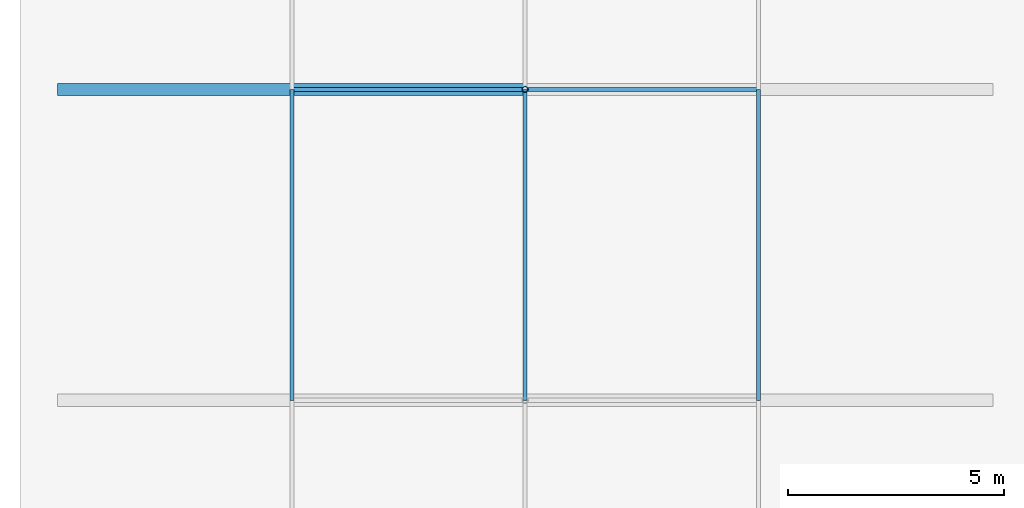
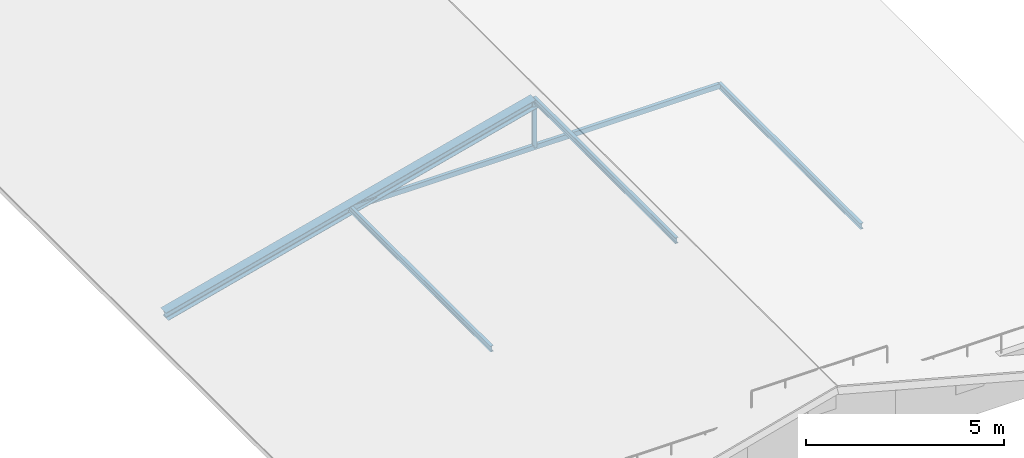
# One storey, part 3 of 8: 6 members.
"""IFC4 building model written with IfcOpenShell, lengths in metres."""

import ifcopenshell
import ifcopenshell.guid

model = None  # the IFC model being written
_history = None  # IfcOwnerHistory: only IFC2X3 demands one
_inside = {}  # id of a spatial element -> (the spatial element, [elements in it])
_under = {}  # id of a project, library or spatial element -> (it, [spatial elements below it])
_declared = {}  # id of a project -> (the project, [libraries it declares])
_typed = {}  # id of a type object -> (the type object, [elements of that type])
_made_of = {}  # id of a material, layer set ... -> (it, [elements and type objects made of it])


def new_model(schema):
    """Start an empty IFC model of exactly this schema.

    Asked for "IFC4X3", IfcOpenShell would pick the latest addendum, in which some entities
    have other attributes; the version numbers below select the first issue.
    IFC2X3 requires an IfcOwnerHistory on every rooted entity: one is made here for all.
    """
    global model, _history
    if schema == "IFC4X3":
        model = ifcopenshell.file(schema_version=(4, 3, 0, 0))
    else:
        model = ifcopenshell.file(schema=schema)
    _inside.clear()
    _under.clear()
    _declared.clear()
    _typed.clear()
    _made_of.clear()
    _history = None
    if model.schema == "IFC2X3":
        org = make("IfcOrganization", Name="unknown")
        user = make(
            "IfcPersonAndOrganization",
            ThePerson=make("IfcPerson", FamilyName="unknown"),
            TheOrganization=org,
        )
        app = make(
            "IfcApplication",
            ApplicationDeveloper=org,
            Version="unknown",
            ApplicationFullName="unknown",
            ApplicationIdentifier="unknown",
        )
        _history = make(
            "IfcOwnerHistory",
            OwningUser=user,
            OwningApplication=app,
            ChangeAction="ADDED",
            CreationDate=0,
        )
    return model


def make(cls, **values):
    """One entity of the class cls with the attributes given. An attribute that is None is left unset."""
    return model.create_entity(
        cls, **{name: value for name, value in values.items() if value is not None}
    )


def rooted(cls, **values):
    """An entity with a GlobalId (a new one), such as an element, a storey or a relation."""
    return make(cls, GlobalId=ifcopenshell.guid.new(), OwnerHistory=_history, **values)


def si_unit(unit_type, name, prefix=None):
    """IfcSIUnit, for example si_unit("LENGTHUNIT", "METRE", prefix="MILLI")."""
    return make("IfcSIUnit", UnitType=unit_type, Prefix=prefix, Name=name)


def assignment(units):
    """IfcUnitAssignment: the units of a project."""
    return None if units is None else make("IfcUnitAssignment", Units=units)


def point(xyz):
    """IfcCartesianPoint."""
    return None if xyz is None else make("IfcCartesianPoint", Coordinates=xyz)


def direction(xyz):
    """IfcDirection."""
    return None if xyz is None else make("IfcDirection", DirectionRatios=xyz)


def frame(location, z_axis=None, x_axis=None):
    """IfcAxis2Placement3D, a coordinate frame: its origin and axes. An axis left out is left unset."""
    return make(
        "IfcAxis2Placement3D",
        Location=point(location),
        Axis=direction(z_axis),
        RefDirection=direction(x_axis),
    )


def frame_2d(location, x_axis=None):
    """IfcAxis2Placement2D, a coordinate frame in the plane: its origin and x axis."""
    return make(
        "IfcAxis2Placement2D", Location=point(location), RefDirection=direction(x_axis)
    )


def origin():
    """The frame at (0, 0, 0) with its axes left unset."""
    return frame((0.0, 0.0, 0.0))


def origin_2d():
    """The frame at (0, 0) in the plane with its x axis left unset."""
    return frame_2d((0.0, 0.0))


def place(relative_to, where):
    """IfcLocalPlacement: puts the frame where relative to a parent placement (None: the world)."""
    return make(
        "IfcLocalPlacement", PlacementRelTo=relative_to, RelativePlacement=where
    )


def context(
    kind, dimensions, precision=None, world=None, true_north=None, identifier=None
):
    """IfcGeometricRepresentationContext, for example the 3D "Model" context."""
    return make(
        "IfcGeometricRepresentationContext",
        ContextIdentifier=identifier,
        ContextType=kind,
        CoordinateSpaceDimension=dimensions,
        Precision=precision,
        WorldCoordinateSystem=world,
        TrueNorth=true_north,
    )


def subcontext(parent, identifier, kind, view, scale=None):
    """IfcGeometricRepresentationSubContext, for example "Body" below "Model"."""
    return make(
        "IfcGeometricRepresentationSubContext",
        ContextIdentifier=identifier,
        ContextType=kind,
        ParentContext=parent,
        TargetScale=scale,
        TargetView=view,
    )


def project(units=None, contexts=None):
    """IfcProject with its units and contexts."""
    return rooted(
        "IfcProject",
        Name="project",
        RepresentationContexts=contexts,
        UnitsInContext=assignment(units),
    )


def spatial(cls, under=None, at=None, **own):
    """A site, building, storey or space (cls), placed at a placement, below another one or the project."""
    s = rooted(cls, ObjectPlacement=at, **own)
    if under is not None:
        _under.setdefault(under.id(), (under, []))[1].append(s)
    return s


def profile(cls, at=None, kind="AREA", **sizes):
    """A parametric profile (cls). Its sizes go by their IFC names, for example OverallWidth=200.0."""
    return make(cls, ProfileType=kind, Position=at, **sizes)


def hollow_rectangle(**sizes):
    """IfcRectangleHollowProfileDef."""
    return profile("IfcRectangleHollowProfileDef", **sizes)


def hollow_circle(**sizes):
    """IfcCircleHollowProfileDef."""
    return profile("IfcCircleHollowProfileDef", **sizes)


def i_section(**sizes):
    """IfcIShapeProfileDef."""
    return profile("IfcIShapeProfileDef", **sizes)


def extrude(swept, where, along, depth):
    """IfcExtrudedAreaSolid: the profile swept, set in the frame where, extruded along a direction by depth."""
    return make(
        "IfcExtrudedAreaSolid",
        SweptArea=swept,
        Position=where,
        ExtrudedDirection=direction(along),
        Depth=depth,
    )


def shape(context_of_items, identifier, shape_type, items):
    """IfcShapeRepresentation: the items that make up one representation, for example the "Body"."""
    return make(
        "IfcShapeRepresentation",
        ContextOfItems=context_of_items,
        RepresentationIdentifier=identifier,
        RepresentationType=shape_type,
        Items=items,
    )


def material(Name=None, Category=None):
    """IfcMaterial."""
    return make("IfcMaterial", Name=Name, Category=Category)


def material_profile(
    of_material, cross_section, Name=None, Category=None, Priority=None
):
    """IfcMaterialProfile: a cross section and its material."""
    return make(
        "IfcMaterialProfile",
        Name=Name,
        Material=of_material,
        Profile=cross_section,
        Priority=Priority,
        Category=Category,
    )


def profile_set(profiles, Name=None, composite=None):
    """IfcMaterialProfileSet."""
    return make(
        "IfcMaterialProfileSet",
        Name=Name,
        MaterialProfiles=profiles,
        CompositeProfile=composite,
    )


def made_of(thing, what):
    """Note that an element or type object is made of a material, layer set ...; save() writes the relation."""
    if what is not None:
        _made_of.setdefault(what.id(), (what, []))[1].append(thing)
    return thing


def type_object(cls, material=None, **own):
    """A type object (cls), such as IfcWallType, which elements share."""
    return made_of(rooted(cls, **own), material)


def element(
    cls,
    number,
    at=None,
    inside=None,
    cuts=None,
    type_object=None,
    material=None,
    context=None,
    identifier="Body",
    shape_type=None,
    held_by="IfcProductDefinitionShape",
    body=None,
    shapes=None,
    **own,
):
    """One element of the class cls, such as IfcWall. Its Tag is "e" and its number.

    at: its placement. inside: the storey or other place that contains it. cuts: it is an
    opening in that element (IfcRelVoidsElement). A single representation is given by context,
    identifier, shape_type and body (its items); several are given by shapes. held_by: the class
    of the entity that holds the representations. save() writes the other relations.
    """
    e = rooted(cls, Tag="e%d" % number, ObjectPlacement=at, **own)
    if body is not None:
        shapes = [shape(context, identifier, shape_type, body)]
    if shapes is not None:
        e.Representation = make(held_by, Representations=shapes)
    if inside is not None:
        _inside.setdefault(inside.id(), (inside, []))[1].append(e)
    if cuts is not None:
        rooted(
            "IfcRelVoidsElement", RelatingBuildingElement=cuts, RelatedOpeningElement=e
        )
    if type_object is not None:
        _typed.setdefault(type_object.id(), (type_object, []))[1].append(e)
    return made_of(e, material)


def aggregate(whole, parts):
    """IfcRelAggregates: a whole, such as a stair, and the parts it consists of."""
    return rooted("IfcRelAggregates", RelatingObject=whole, RelatedObjects=parts)


def save(model, path):
    """Write the relations noted so far, then the file.

    IfcRelAggregates (storeys below a building ...), IfcRelContainedInSpatialStructure (elements
    in a storey), IfcRelDefinesByType, IfcRelAssociatesMaterial and IfcRelDeclares: one each for
    every whole, place, type object, material and project.
    """
    for whole, parts in _under.values():
        aggregate(whole, parts)
    for where, things in _inside.values():
        rooted(
            "IfcRelContainedInSpatialStructure",
            RelatedElements=things,
            RelatingStructure=where,
        )
    for kind, things in _typed.values():
        rooted("IfcRelDefinesByType", RelatedObjects=things, RelatingType=kind)
    for what, things in _made_of.values():
        rooted("IfcRelAssociatesMaterial", RelatedObjects=things, RelatingMaterial=what)
    for by, libraries in _declared.values():
        rooted("IfcRelDeclares", RelatingContext=by, RelatedDefinitions=libraries)
    model.write(path)


model = new_model("IFC4")

# Units and contexts
model_context = context("Model", 3, precision=1e-05, world=origin(), true_north=direction((0.0, 1.0)))
body_context = subcontext(model_context, "Body", "Model", "MODEL_VIEW")
ifc_project = project(units=[si_unit("LENGTHUNIT", "METRE"), si_unit("AREAUNIT", "SQUARE_METRE"), si_unit("VOLUMEUNIT", "CUBIC_METRE"), si_unit("PLANEANGLEUNIT", "RADIAN"), si_unit("MASSUNIT", "GRAM", prefix="KILO"), si_unit("THERMODYNAMICTEMPERATUREUNIT", "KELVIN"), si_unit("POWERUNIT", "WATT")], contexts=[model_context])

# Site, building, storey
site_placement = place(None, origin())
site = spatial("IfcSite", under=ifc_project, at=site_placement, CompositionType="ELEMENT")
building_placement = place(site_placement, origin())
building = spatial("IfcBuilding", under=site, at=building_placement, Name="Tavuni Mirador Residences", CompositionType="ELEMENT")
storey_placement = place(building_placement, frame((0.0, 0.0, 51.75)))
storey = spatial("IfcBuildingStorey", under=building, at=storey_placement, Name="RF", CompositionType="ELEMENT", Elevation=51.75)

# Members
ifc_material = material(Name="Structural steel S355", Category="steel")
ifc_material_profile_1 = material_profile(ifc_material, hollow_circle(Radius=0.06982421875, WallThickness=0.008056640625, at=origin_2d()), Name="CHS 139.7x8.0", Category="steel")
ifc_profile_set_1 = profile_set([ifc_material_profile_1], Name="Structural steel S355")
member_type_1 = type_object("IfcMemberType", Name="MT-BR-CHS139", PredefinedType="BRACE", material=ifc_profile_set_1)
member_1_placement = place(storey_placement, frame((14.39990234375, 21.60009765625, 1.050048828125), z_axis=(0.0, 0.0, 1.0), x_axis=(1.0, 0.0, 0.0)))
element("IfcMember", 1, at=member_1_placement, inside=storey, type_object=member_type_1, Name="RKP-BLK-A-02", PredefinedType="BRACE", context=body_context, shape_type="SweptSolid", body=[
    extrude(hollow_circle(Radius=0.06982421875, WallThickness=0.008056640625, at=origin_2d()), origin(), (0.0, 0.0, 1.0), 1.39990234375),
])
ifc_material_profile_2 = material_profile(ifc_material, hollow_rectangle(XDim=0.10009765625, YDim=0.14990234375, WallThickness=0.008056640625, at=origin_2d()), Name="RHS 150x100x8.0", Category="steel")
ifc_profile_set_2 = profile_set([ifc_material_profile_2], Name="Structural steel S355")
member_type_2 = type_object("IfcMemberType", Name="MT-BR-RHS150", PredefinedType="BRACE", material=ifc_profile_set_2)
member_2_placement = place(storey_placement, frame((9.0, 21.60009765625, 1.050048828125), z_axis=(1.0, 0.0, 0.0), x_axis=(0.0, 1.0, 0.0)))
element("IfcMember", 2, at=member_2_placement, inside=storey, type_object=member_type_2, Name="RTIE-BLK-A-02", PredefinedType="BRACE", context=body_context, shape_type="SweptSolid", body=[
    extrude(hollow_rectangle(XDim=0.10009765625, YDim=0.14990234375, WallThickness=0.008056640625, at=origin_2d()), origin(), (0.0, 0.0, 1.0), 10.800048828125),
])
ifc_material_profile_3 = material_profile(ifc_material, i_section(OverallWidth=0.280029296875, OverallDepth=0.27001953125, WebThickness=0.008056640625, FlangeThickness=0.012939453125, FilletRadius=0.02392578125, at=origin_2d()), Name="HEA 280", Category="steel")
ifc_profile_set_3 = profile_set([ifc_material_profile_3], Name="Structural steel S355")
member_type_3 = type_object("IfcMemberType", Name="MT-CH-HEA280", PredefinedType="CHORD", material=ifc_profile_set_3)
member_3_placement = place(storey_placement, frame((3.60009765625, 21.60009765625, -0.35009765625), z_axis=(0.96799473238, 0.0, 0.250970512381), x_axis=(0.0, 1.0, 0.0)))
element("IfcMember", 3, at=member_3_placement, inside=storey, type_object=member_type_3, Name="RAF-BLK-A-02-W", PredefinedType="CHORD", context=body_context, shape_type="SweptSolid", body=[
    extrude(i_section(OverallWidth=0.280029296875, OverallDepth=0.27001953125, WebThickness=0.008056640625, FlangeThickness=0.012939453125, FilletRadius=0.02392578125, at=origin_2d()), origin(), (0.0, 0.0, 1.0), 11.156982421875),
])
ifc_material_profile_4 = material_profile(ifc_material, i_section(OverallWidth=0.091064453125, OverallDepth=0.179931640625, WebThickness=0.00537109375, FlangeThickness=0.008056640625, FilletRadius=0.009033203125, at=origin_2d()), Name="IPE 180", Category="steel")
ifc_profile_set_4 = profile_set([ifc_material_profile_4], Name="Structural steel S355")
member_type_4 = type_object("IfcMemberType", Name="MT-PR-IPE180", PredefinedType="PURLIN", material=ifc_profile_set_4)
for number, where, z_axis, x_axis, name in (
    (4, (9.0, 14.39990234375, 1.06005859375), (0.0, 1.0, 0.0), (-1.0, 0.0, 0.0), "RPUR-BLK-A-25-01"),
    (5, (14.39990234375, 14.39990234375, 2.510009765625), (0.0, 1.0, 0.0), (-1.0, 0.0, 0.0), "RPUR-BLK-A-50-01"),
    (6, (19.800048828125, 14.39990234375, 1.06005859375), (0.0, 1.0, 0.0), (-1.0, 0.0, 0.0), "RPUR-BLK-A-75-01"),
):
    element("IfcMember", number, at=place(storey_placement, frame(where, z_axis=z_axis, x_axis=x_axis)), inside=storey, type_object=member_type_4, Name=name, PredefinedType="PURLIN", context=body_context, shape_type="SweptSolid", body=[
        extrude(i_section(OverallWidth=0.091064453125, OverallDepth=0.179931640625, WebThickness=0.00537109375, FlangeThickness=0.008056640625, FilletRadius=0.009033203125, at=origin_2d()), origin(), (0.0, 0.0, 1.0), 7.2001953125),
    ])

save(model, "model.ifc")
